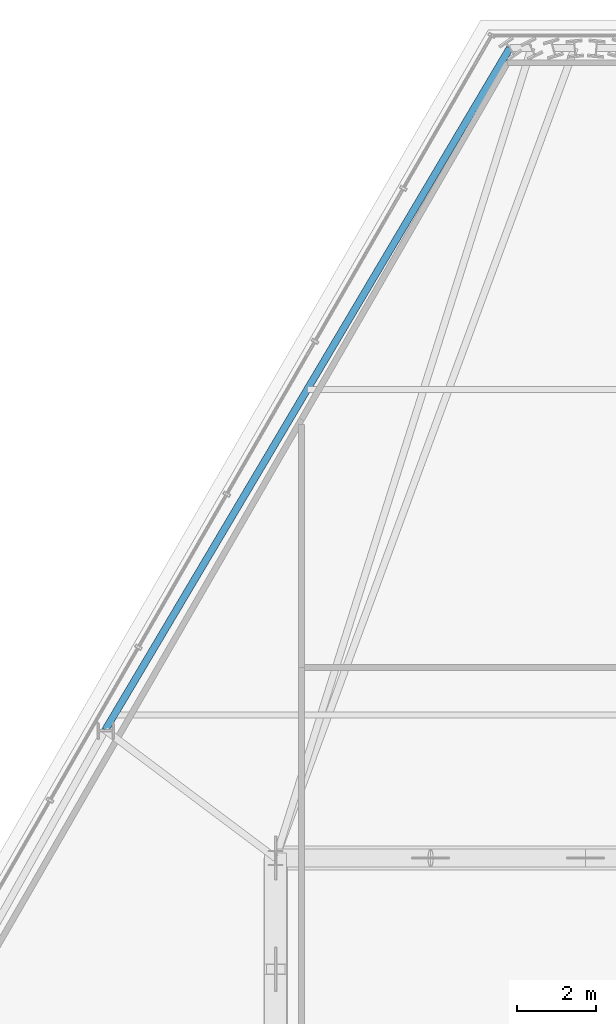
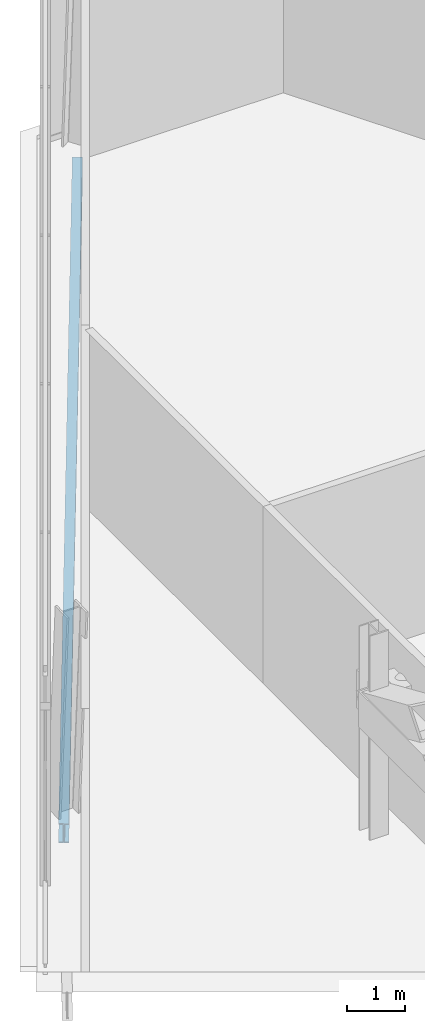
# One storey, part 15 of 32: 1 beam.
"""IFC4 building model written with IfcOpenShell, lengths in metres."""

from ifc_helpers import new_model, si_unit, direction, frame, origin, origin_2d, place, context, subcontext, project, spatial, i_section, extrude, material, material_profile, profile_set, type_object, element, save


model = new_model("IFC4")

# Units and contexts
model_context = context("Model", 3, precision=1e-05, world=origin(), true_north=direction((0.0, 1.0)))
body_context = subcontext(model_context, "Body", "Model", "MODEL_VIEW")
ifc_project = project(units=[si_unit("LENGTHUNIT", "METRE"), si_unit("AREAUNIT", "SQUARE_METRE"), si_unit("VOLUMEUNIT", "CUBIC_METRE"), si_unit("PLANEANGLEUNIT", "RADIAN"), si_unit("MASSUNIT", "GRAM", prefix="KILO")], contexts=[model_context])

# Site, building, storey
site_placement = place(None, origin())
site = spatial("IfcSite", under=ifc_project, at=site_placement, CompositionType="ELEMENT")
building_placement = place(site_placement, origin())
building = spatial("IfcBuilding", under=site, at=building_placement, Name="Ndaravel Arena Tower", CompositionType="ELEMENT")
storey_placement = place(building_placement, frame((0.0, 0.0, 278.800048828125)))
storey = spatial("IfcBuildingStorey", under=building, at=storey_placement, Name="L68", CompositionType="ELEMENT", Elevation=278.800048828125)

# Beam
ifc_material = material(Name="Steel S355", Category="steel")
ifc_material_profile = material_profile(ifc_material, i_section(OverallWidth=0.179931640625, OverallDepth=0.39990234375, WebThickness=0.008544921875, FlangeThickness=0.013427734375, FilletRadius=0.02099609375, at=origin_2d()), Name="IPE 400")
ifc_profile_set = profile_set([ifc_material_profile], Name="Steel S355")
beam_type = type_object("IfcBeamType", Name="BM-SPAN-IPE400", PredefinedType="SPANDREL", material=ifc_profile_set)
beam_placement = place(storey_placement, frame((40.094482421875, 43.59228515625, -0.47998046875), z_axis=(-0.510187501256, -0.860063203237, 0.0), x_axis=(0.860063203237, -0.510187501256, 0.0)))
element("IfcBeam", 1, at=beam_placement, inside=storey, type_object=beam_type, Name="L68 Perimeter Spandrel Beam SP-18", PredefinedType="SPANDREL", context=body_context, shape_type="SweptSolid", body=[
    extrude(i_section(OverallWidth=0.179931640625, OverallDepth=0.39990234375, WebThickness=0.008544921875, FlangeThickness=0.013427734375, FilletRadius=0.02099609375, at=origin_2d()), origin(), (0.0, 0.0, 1.0), 19.9638671875),
])

save(model, "model.ifc")
